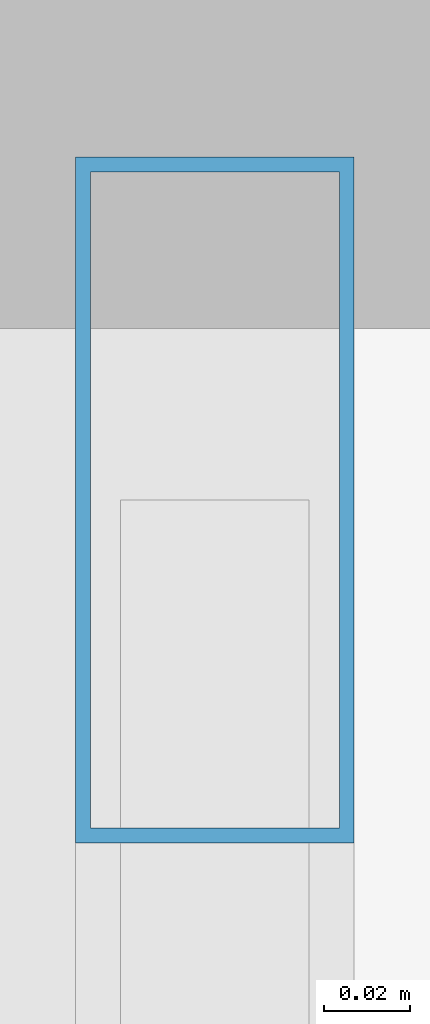
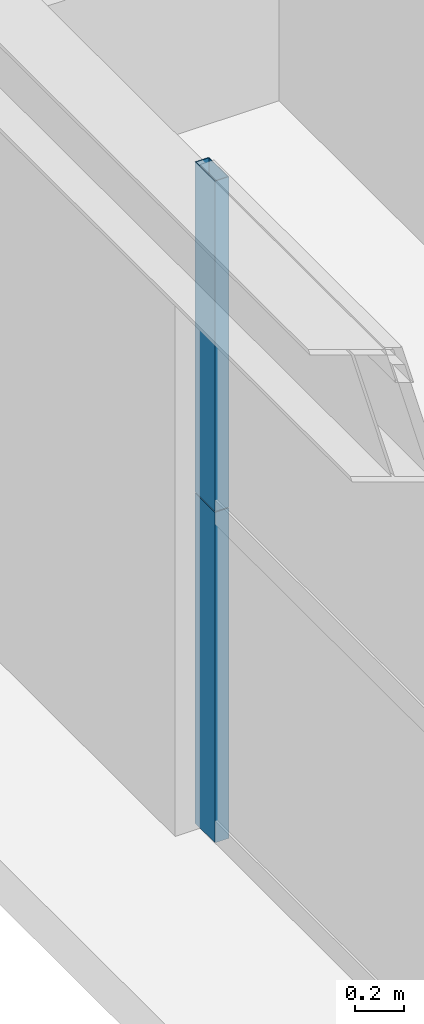
# One storey, part 21 of 35: 2 members, 1 element without a shape of its own.
"""IFC4 building model written with IfcOpenShell, lengths in metres."""

from ifc_helpers import new_model, si_unit, direction, frame, origin, origin_2d, place, context, subcontext, project, spatial, hollow_rectangle, extrude, source, transform, mapped, material, layer, layer_set, material_profile, profile_set, type_object, element, aggregate, save


model = new_model("IFC4")

# Units and contexts
model_context = context("Model", 3, precision=1e-05, world=origin(), true_north=direction((0.0, 1.0)))
body_context = subcontext(model_context, "Body", "Model", "MODEL_VIEW")
ifc_project = project(units=[si_unit("LENGTHUNIT", "METRE"), si_unit("AREAUNIT", "SQUARE_METRE"), si_unit("VOLUMEUNIT", "CUBIC_METRE"), si_unit("PLANEANGLEUNIT", "RADIAN"), si_unit("MASSUNIT", "GRAM", prefix="KILO"), si_unit("THERMODYNAMICTEMPERATUREUNIT", "KELVIN"), si_unit("POWERUNIT", "WATT")], contexts=[model_context])

# Site, building, storey
site_placement = place(None, origin())
site = spatial("IfcSite", under=ifc_project, at=site_placement, CompositionType="ELEMENT")
building_placement = place(site_placement, origin())
building = spatial("IfcBuilding", under=site, at=building_placement, Name="Yuzanri Waterfront Tower", CompositionType="ELEMENT")
storey_placement = place(building_placement, frame((0.0, 0.0, 227.60009765625)))
storey = spatial("IfcBuildingStorey", under=building, at=storey_placement, Name="L60", CompositionType="ELEMENT", Elevation=227.60009765625)

# Curtain wall, members
ifc_material_1 = material(Name="Anodized Architectural Bronze", Category="metal")
ifc_layer = layer(ifc_material_1, 0.159912109375)
ifc_layer_set = layer_set([ifc_layer], Name="Anodized Architectural Bronze")
curtain_wall_type = type_object("IfcCurtainWallType", Name="Anodized Bronze Mid-Rise Residential Acoustic Unitized Curtain Wall 7200", PredefinedType="NOTDEFINED", material=ifc_layer_set)
curtain_wall_placement = place(storey_placement, origin())
curtain_wall = element("IfcCurtainWall", 1, at=curtain_wall_placement, inside=storey, type_object=curtain_wall_type, Name="L60 Curtain Wall CW-L60-WR", PredefinedType="NOTDEFINED")
ifc_material_2 = material(Name="Anodized Architectural Bronze", Category="metal")
ifc_material_profile = material_profile(ifc_material_2, hollow_rectangle(XDim=0.06494140625, YDim=0.159912109375, WallThickness=0.00341796875, at=origin_2d()), Name="CWM 65x160")
ifc_profile_set = profile_set([ifc_material_profile], Name="Anodized Architectural Bronze")
member_type = type_object("IfcMemberType", Name="Anodized Bronze Upper-Zone Curtain-Wall Mullion 65x160", PredefinedType="MULLION", material=ifc_profile_set)
shared_shape = source(origin(), body_context, "Body", "SweptSolid", [
    extrude(hollow_rectangle(XDim=0.06494140625, YDim=0.159912109375, WallThickness=0.00341796875, at=origin_2d()), origin(), (0.0, 0.0, 1.0), 1.637939453125),
])
member_1_placement = place(storey_placement, frame((16.550048828125, 39.010009765625, 0.0), z_axis=(0.0, 0.0, 1.0), x_axis=(1.0, 0.0, 0.0)))
member_1 = element("IfcMember", 2, at=member_1_placement, type_object=member_type, Name="CW-L60-WR Lower Mullion 02", PredefinedType="MULLION", context=body_context, shape_type="MappedRepresentation", body=[
    mapped(shared_shape, transform((0.0, 0.0, 0.0), scale=1.0)),
])
member_2_placement = place(storey_placement, frame((16.550048828125, 39.010009765625, 1.641845703125), z_axis=(0.0, 0.0, 1.0), x_axis=(1.0, 0.0, 0.0)))
member_2 = element("IfcMember", 3, at=member_2_placement, type_object=member_type, Name="CW-L60-WR Upper Mullion 02", PredefinedType="MULLION", context=body_context, shape_type="MappedRepresentation", body=[
    mapped(shared_shape, transform((0.0, 0.0, 0.0), scale=1.0)),
])
aggregate(curtain_wall, [member_1, member_2])

save(model, "model.ifc")
